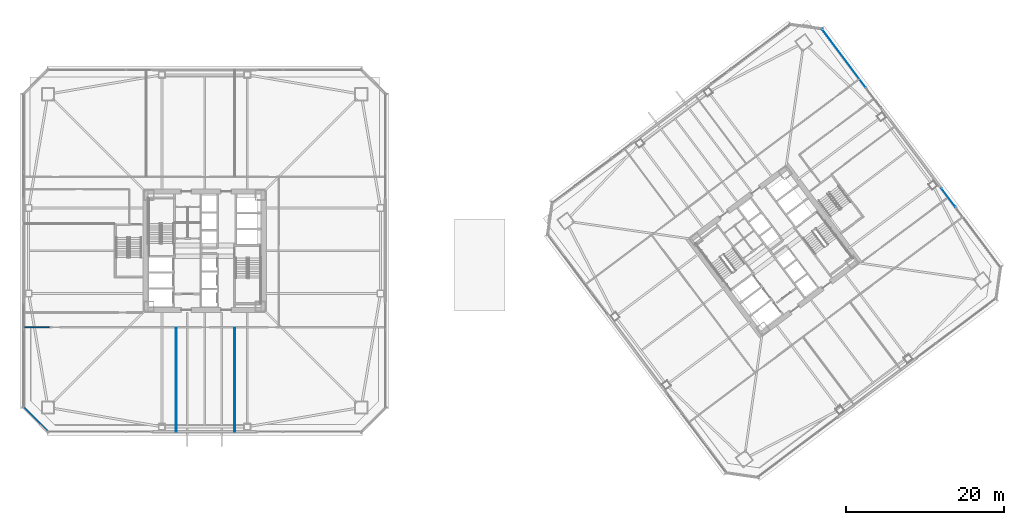
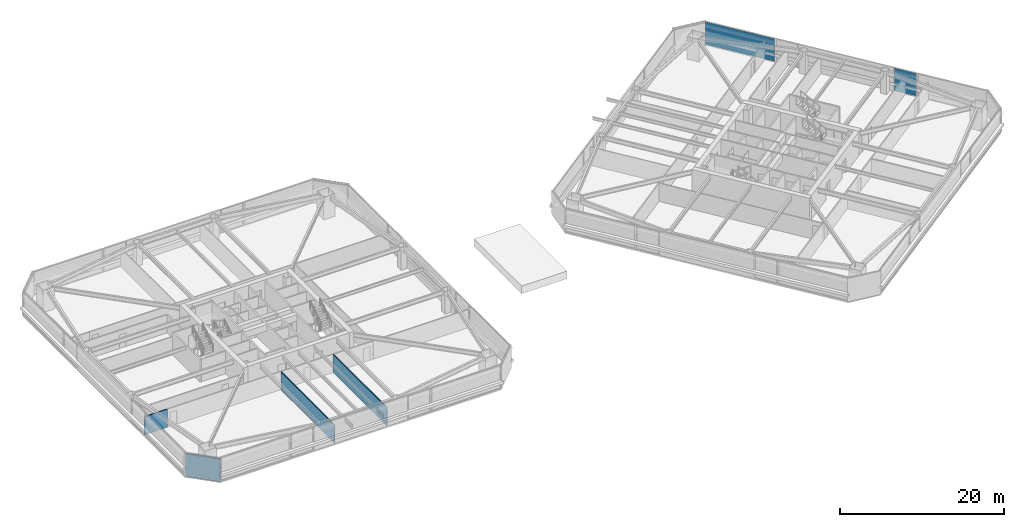
# One storey, part 33 of 46: 4 walls, 2 plates, 2 elements without a shape of their own.
"""IFC4 building model written with IfcOpenShell, lengths in metres."""

from ifc_helpers import new_model, si_unit, direction, frame, frame_2d, origin, origin_2d, place, context, subcontext, project, spatial, rectangle, extrude, material, layer, layer_set, type_object, element, aggregate, save


model = new_model("IFC4")

# Units and contexts
model_context = context("Model", 3, precision=1e-05, world=origin(), true_north=direction((0.0, 1.0)))
body_context = subcontext(model_context, "Body", "Model", "MODEL_VIEW")
ifc_project = project(units=[si_unit("LENGTHUNIT", "METRE"), si_unit("AREAUNIT", "SQUARE_METRE"), si_unit("VOLUMEUNIT", "CUBIC_METRE"), si_unit("PLANEANGLEUNIT", "RADIAN"), si_unit("MASSUNIT", "GRAM", prefix="KILO")], contexts=[model_context])

# Site, building, storey
site_placement = place(None, origin())
site = spatial("IfcSite", under=ifc_project, at=site_placement, CompositionType="ELEMENT")
building_placement = place(site_placement, origin())
building = spatial("IfcBuilding", under=site, at=building_placement, Name="Tashvorn Skyway Center", CompositionType="ELEMENT")
storey_placement = place(building_placement, frame((0.0, 0.0, 31.699951171875)))
storey = spatial("IfcBuildingStorey", under=building, at=storey_placement, Name="L07", CompositionType="ELEMENT", Elevation=31.699951171875)

# Curtain wall, plate
ifc_material_1 = material(Name="Thermally broken bronze-anodized aluminium 6063-T6", Category="aluminium")
curtain_wall_type = type_object("IfcCurtainWallType", Name="CW-CW-Z1", PredefinedType="NOTDEFINED", material=ifc_material_1)
curtain_wall_1_placement = place(storey_placement, origin())
curtain_wall_1 = element("IfcCurtainWall", 1, at=curtain_wall_1_placement, inside=storey, type_object=curtain_wall_type, Name="Tower 2 L07 East Unitised Curtain Wall Glazing Group 1", PredefinedType="NOTDEFINED")
ifc_material_2 = material(Name="Low-E solar-control double insulating safety glass", Category="glass")
ifc_layer_1 = layer(ifc_material_2, 0.048095703125)
ifc_layer_set_1 = layer_set([ifc_layer_1], Name="Low-E solar-control double insulating safety glass")
plate_type = type_object("IfcPlateType", Name="CWP-CW-Z1", PredefinedType="CURTAIN_PANEL", material=ifc_layer_set_1)
plate_1_placement = place(storey_placement, frame((122.847900390625, 56.3359375, 0.085205078125), z_axis=(0.0, 0.0, 1.0), x_axis=(0.600000000002, -0.799999999998, 0.0)))
plate_1 = element("IfcPlate", 2, at=plate_1_placement, type_object=plate_type, Name="CW-Z1 panel 1.1", PredefinedType="CURTAIN_PANEL", context=body_context, shape_type="SweptSolid", body=[
    extrude(rectangle(XDim=9.27001953125, YDim=0.048095703125, at=origin_2d()), origin(), (0.0, 0.0, 1.0), 3.3798828125),
])
aggregate(curtain_wall_1, [plate_1])

curtain_wall_2_placement = place(storey_placement, origin())
curtain_wall_2 = element("IfcCurtainWall", 3, at=curtain_wall_2_placement, inside=storey, type_object=curtain_wall_type, Name="Tower 2 L07 East Unitised Curtain Wall Glazing Group 3", PredefinedType="NOTDEFINED")
plate_2_placement = place(storey_placement, frame((136.06396484375, 38.714599609375, 0.085205078125), z_axis=(0.0, 0.0, 1.0), x_axis=(0.600005084776, -0.799996186392, 0.0)))
plate_2 = element("IfcPlate", 4, at=plate_2_placement, type_object=plate_type, Name="CW-Z1 panel 1.1", PredefinedType="CURTAIN_PANEL", context=body_context, shape_type="SweptSolid", body=[
    extrude(rectangle(XDim=2.9765625, YDim=0.048095703125, at=origin_2d()), origin(), (0.0, 0.0, 1.0), 3.3798828125),
])
aggregate(curtain_wall_2, [plate_2])

# Walls
ifc_material_3 = material(Name="Precast concrete C40/50", Category="concrete")
ifc_layer_2 = layer(ifc_material_3, 0.280029296875)
ifc_layer_set_2 = layer_set([ifc_layer_2], Name="Precast concrete C40/50")
wall_type_1 = type_object("IfcWallType", Name="WALL-EXT-280", PredefinedType="SOLIDWALL", material=ifc_layer_set_2)
wall_1_placement = place(storey_placement, frame((22.199951171875, 9.10009765625, 0.0), z_axis=(0.0, 0.0, 1.0), x_axis=(-0.707106781187, 0.707106781187, 0.0)))
element("IfcWall", 5, at=wall_1_placement, inside=storey, type_object=wall_type_1, Name="Tower 1 L07 SW Precast Chamfer Wall", PredefinedType="SOLIDWALL", context=body_context, shape_type="SweptSolid", body=[
    extrude(rectangle(XDim=4.3837890625, YDim=0.280029296875, at=frame_2d((2.19189453125, 0.0))), origin(), (0.0, 0.0, 1.0), 3.35009765625),
])
ifc_material_4 = material(Name="Gypsum board on cold-formed steel stud framing", Category="steel")
ifc_layer_3 = layer(ifc_material_4, 0.110107421875)
ifc_layer_set_3 = layer_set([ifc_layer_3], Name="Gypsum board on cold-formed steel stud framing")
wall_type_2 = type_object("IfcWallType", Name="WALL-PART-110", PredefinedType="PARTITIONING", material=ifc_layer_set_3)
for number, where, z_axis, x_axis, name in (
    (6, (38.39990234375, 9.1201171875, 0.0), (0.0, 0.0, 1.0), (0.0, 1.0, 0.0), "Tower 1 L07 South Suite Partition 1"),
    (7, (45.800048828125, 9.1201171875, 0.0), (0.0, 0.0, 1.0), (0.0, 1.0, 0.0), "Tower 1 L07 South Suite Partition 2"),
):
    element("IfcWall", number, at=place(storey_placement, frame(where, z_axis=z_axis, x_axis=x_axis)), inside=storey, type_object=wall_type_2, Name=name, PredefinedType="PARTITIONING", context=body_context, shape_type="SweptSolid", body=[
        extrude(rectangle(XDim=13.1298828125, YDim=0.110107421875, at=frame_2d((6.56494140625, 0.0))), origin(), (0.0, 0.0, 1.0), 2.703125),
    ])
ifc_layer_4 = layer(ifc_material_4, 0.135009765625)
ifc_layer_set_4 = layer_set([ifc_layer_4], Name="Gypsum board on cold-formed steel stud framing")
wall_type_3 = type_object("IfcWallType", Name="WALL-PART-135", PredefinedType="PARTITIONING", material=ifc_layer_set_4)
wall_2_placement = place(storey_placement, frame((19.1201171875, 22.330078125, 0.0), z_axis=(0.0, 0.0, 1.0), x_axis=(1.0, 0.0, 0.0)))
element("IfcWall", 8, at=wall_2_placement, inside=storey, type_object=wall_type_3, Name="Tower 1 L07 South-West Suite North Wall", PredefinedType="PARTITIONING", context=body_context, shape_type="SweptSolid", body=[
    extrude(rectangle(XDim=3.22998046875, YDim=0.135009765625, at=frame_2d((1.614990234375, 0.0))), origin(), (0.0, 0.0, 1.0), 2.703125),
])

save(model, "model.ifc")
